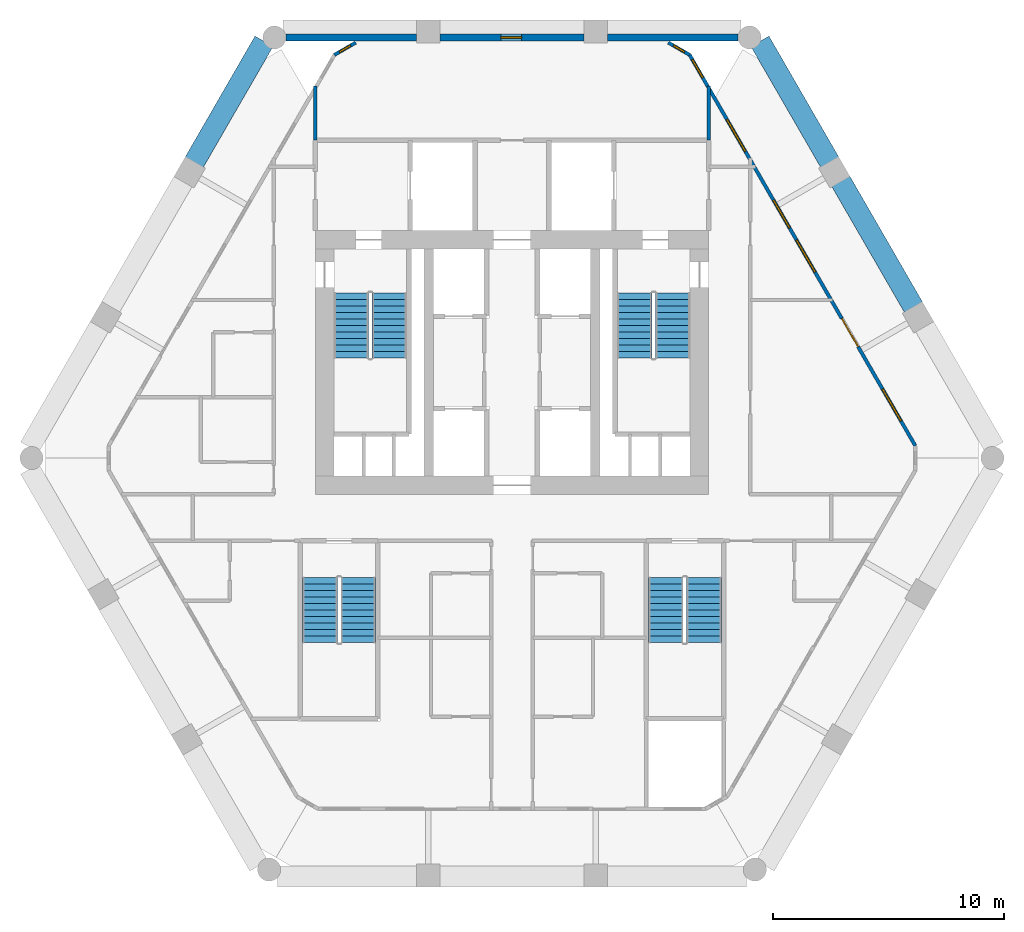
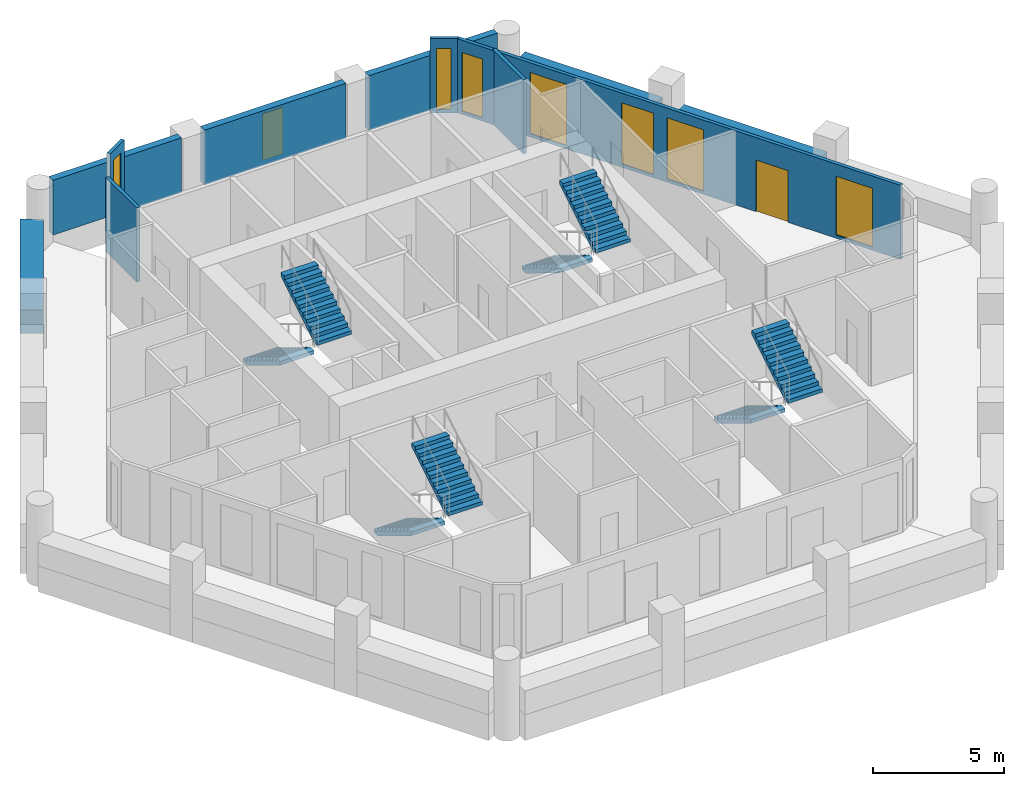
# One storey, part 6 of 7: 11 walls, 8 stair flights, 8 windows, 1 door, 9 openings, 4 elements without a shape of their own.
"""IFC4 building model written with IfcOpenShell, lengths in metres."""

from ifc_helpers import new_model, si_unit, direction, frame, frame_2d, origin, place, context, subcontext, project, spatial, polyline, rectangle, outline, extrude, material, layer, layer_set, type_object, element, fill, aggregate, save


model = new_model("IFC4")

# Units and contexts
model_context = context("Model", 3, precision=1e-05, world=origin(), true_north=direction((0.0, 1.0)))
body_context = subcontext(model_context, "Body", "Model", "MODEL_VIEW")
ifc_project = project(units=[si_unit("LENGTHUNIT", "METRE"), si_unit("AREAUNIT", "SQUARE_METRE"), si_unit("VOLUMEUNIT", "CUBIC_METRE"), si_unit("PLANEANGLEUNIT", "RADIAN"), si_unit("MASSUNIT", "GRAM", prefix="KILO")], contexts=[model_context])

# Site, building, storey
site_placement = place(None, origin())
site = spatial("IfcSite", under=ifc_project, at=site_placement, CompositionType="ELEMENT")
building_placement = place(site_placement, origin())
building = spatial("IfcBuilding", under=site, at=building_placement, Name="Ostrander Bayou Hotel Tower", CompositionType="ELEMENT")
storey_placement = place(building_placement, frame((0.0, 0.0, 160.75)))
storey = spatial("IfcBuildingStorey", under=building, at=storey_placement, Name="L39", CompositionType="ELEMENT", Elevation=160.75)

# Wall, openings, door, windows
ifc_material_1 = material(Name="Aluminium framed insulated wall", Category="aluminium")
ifc_layer_1 = layer(ifc_material_1, 0.14990234375)
ifc_layer_set_1 = layer_set([ifc_layer_1], Name="GW1 glass-line wall 150 mm")
wall_type_1 = type_object("IfcWallType", Name="GW1 glass-line wall 150 mm", PredefinedType="SOLIDWALL", material=ifc_layer_set_1)
wall_1_placement = place(storey_placement, frame((17.42822265625, 0.401611328125, 0.0), z_axis=(0.0, 0.0, 1.0), x_axis=(-0.500000203029, 0.866025286565, 0.0)))
wall_1 = element("IfcWall", 1, at=wall_1_placement, inside=storey, type_object=wall_type_1, Name="GW1 L39 NE 1", PredefinedType="SOLIDWALL", context=body_context, shape_type="SweptSolid", body=[
    extrude(rectangle(XDim=19.50390625, YDim=0.14990234375, at=frame_2d((9.751953125, 0.0))), origin(), (0.0, 0.0, 1.0), 3.449951171875),
])
opening_1_placement = place(wall_1_placement, frame((4.94677734375, 0.0, 0.0)))
opening_1 = element("IfcOpeningElement", 2, at=opening_1_placement, cuts=wall_1, Name="Opening T38-806", PredefinedType="OPENING", context=body_context, shape_type="SweptSolid", body=[
    extrude(rectangle(XDim=1.39990234375, YDim=2.39990234375, at=frame_2d((0.699951171875, 1.199951171875))), frame((0.0, 0.074951171875, 0.0), z_axis=(0.0, -1.0, 0.0), x_axis=(1.0, 0.0, 0.0)), (0.0, 0.0, 1.0), 0.14990234375),
])
opening_2_placement = place(wall_1_placement, frame((8.666259765625, 0.0, 0.14990234375)))
opening_2 = element("IfcOpeningElement", 3, at=opening_2_placement, cuts=wall_1, Name="Opening W3", PredefinedType="OPENING", context=body_context, shape_type="SweptSolid", body=[
    extrude(rectangle(XDim=1.60009765625, YDim=2.85009765625, at=frame_2d((0.800048828125, 1.425048828125))), frame((0.0, 0.074951171875, 0.0), z_axis=(0.0, -1.0, 0.0), x_axis=(1.0, 0.0, 0.0)), (0.0, 0.0, 1.0), 0.14990234375),
])
opening_3_placement = place(wall_1_placement, frame((10.8662109375, 0.0, 0.14990234375)))
opening_3 = element("IfcOpeningElement", 4, at=opening_3_placement, cuts=wall_1, Name="Opening W13", PredefinedType="OPENING", context=body_context, shape_type="SweptSolid", body=[
    extrude(rectangle(XDim=1.39990234375, YDim=2.85009765625, at=frame_2d((0.699951171875, 1.425048828125))), frame((0.0, 0.074951171875, 0.0), z_axis=(0.0, -1.0, 0.0), x_axis=(1.0, 0.0, 0.0)), (0.0, 0.0, 1.0), 0.14990234375),
])
opening_4_placement = place(wall_1_placement, frame((14.684326171875, 0.0, 0.14990234375)))
opening_4 = element("IfcOpeningElement", 5, at=opening_4_placement, cuts=wall_1, Name="Opening W3", PredefinedType="OPENING", context=body_context, shape_type="SweptSolid", body=[
    extrude(rectangle(XDim=1.60009765625, YDim=2.85009765625, at=frame_2d((0.800048828125, 1.425048828125))), frame((0.0, 0.074951171875, 0.0), z_axis=(0.0, -1.0, 0.0), x_axis=(1.0, 0.0, 0.0)), (0.0, 0.0, 1.0), 0.14990234375),
])
opening_5_placement = place(wall_1_placement, frame((1.233154296875, 0.0, 0.14990234375)))
opening_5 = element("IfcOpeningElement", 6, at=opening_5_placement, cuts=wall_1, Name="Opening W3", PredefinedType="OPENING", context=body_context, shape_type="SweptSolid", body=[
    extrude(rectangle(XDim=1.60009765625, YDim=2.72998046875, at=frame_2d((0.800048828125, 1.364990234375))), frame((0.0, 0.074951171875, 0.0), z_axis=(0.0, -1.0, 0.0), x_axis=(1.0, 0.0, 0.0)), (0.0, 0.0, 1.0), 0.14990234375),
])
opening_6_placement = place(wall_1_placement, frame((18.369384765625, 0.0, 0.14990234375)))
opening_6 = element("IfcOpeningElement", 7, at=opening_6_placement, cuts=wall_1, Name="Opening W17", PredefinedType="OPENING", context=body_context, shape_type="SweptSolid", body=[
    extrude(rectangle(XDim=0.89990234375, YDim=2.72998046875, at=frame_2d((0.449951171875, 1.364990234375))), frame((0.0, 0.074951171875, 0.0), z_axis=(0.0, -1.0, 0.0), x_axis=(1.0, 0.0, 0.0)), (0.0, 0.0, 1.0), 0.14990234375),
])
ifc_material_2 = material(Name="Aluminium and clear glass", Category="aluminium")
door_type = type_object("IfcDoorType", Name="SD3 sliding glass door 1400 mm, zone 3", OperationType="SLIDING_TO_LEFT", PredefinedType="DOOR", material=ifc_material_2)
door_placement = place(opening_1_placement, origin())
door = element("IfcDoor", 8, at=door_placement, inside=storey, type_object=door_type, Name="SD3 L39 NE 2", OperationType="SLIDING_TO_RIGHT", OverallHeight=2.39990234375, OverallWidth=1.39990234375, PredefinedType="DOOR", context=body_context, shape_type="SweptSolid", body=[
    extrude(rectangle(XDim=1.39990234375, YDim=2.39990234375, at=frame_2d((0.699951171875, 1.199951171875))), frame((0.0, 0.02490234375, 0.0), z_axis=(0.0, -1.0, 0.0), x_axis=(1.0, 0.0, 0.0)), (0.0, 0.0, 1.0), 0.050048828125),
])
fill(opening_1, door)
ifc_material_3 = material(Name="Aluminium and clear glass", Category="aluminium")
window_type_1 = type_object("IfcWindowType", Name="W13 fixed window 1400 mm, bath bay, zone 3", PartitioningType="SINGLE_PANEL", PredefinedType="WINDOW", material=ifc_material_3)
window_1_placement = place(opening_3_placement, origin())
window_1 = element("IfcWindow", 9, at=window_1_placement, inside=storey, type_object=window_type_1, Name="W13 L39 NE 3", OverallHeight=2.85009765625, OverallWidth=1.39990234375, PartitioningType="SINGLE_PANEL", PredefinedType="WINDOW", context=body_context, shape_type="SweptSolid", body=[
    extrude(rectangle(XDim=1.39990234375, YDim=2.85009765625, at=frame_2d((0.699951171875, 1.425048828125))), frame((0.0, 0.030029296875, 0.0), z_axis=(0.0, -1.0, 0.0), x_axis=(1.0, 0.0, 0.0)), (0.0, 0.0, 1.0), 0.06005859375),
])
fill(opening_3, window_1)
ifc_material_4 = material(Name="Aluminium and clear glass", Category="aluminium")
window_type_2 = type_object("IfcWindowType", Name="W17 window 900 mm, zone 3", PartitioningType="SINGLE_PANEL", PredefinedType="WINDOW", material=ifc_material_4)
window_2_placement = place(opening_6_placement, origin())
window_2 = element("IfcWindow", 10, at=window_2_placement, inside=storey, type_object=window_type_2, Name="W17 L39 NE E22", OverallHeight=2.72998046875, OverallWidth=0.89990234375, PartitioningType="SINGLE_PANEL", PredefinedType="WINDOW", context=body_context, shape_type="SweptSolid", body=[
    extrude(rectangle(XDim=0.89990234375, YDim=2.72998046875, at=frame_2d((0.449951171875, 1.364990234375))), frame((0.0, 0.030029296875, 0.0), z_axis=(0.0, -1.0, 0.0), x_axis=(1.0, 0.0, 0.0)), (0.0, 0.0, 1.0), 0.06005859375),
])
fill(opening_6, window_2)
ifc_material_5 = material(Name="Aluminium and clear glass", Category="aluminium")
window_type_3 = type_object("IfcWindowType", Name="W3 fixed window 1600 mm, zone 3", PartitioningType="SINGLE_PANEL", PredefinedType="WINDOW", material=ifc_material_5)
window_3_placement = place(opening_2_placement, origin())
window_3 = element("IfcWindow", 11, at=window_3_placement, inside=storey, type_object=window_type_3, Name="W3 L39 NE 3", OverallHeight=2.85009765625, OverallWidth=1.60009765625, PartitioningType="SINGLE_PANEL", PredefinedType="WINDOW", context=body_context, shape_type="SweptSolid", body=[
    extrude(rectangle(XDim=1.60009765625, YDim=2.85009765625, at=frame_2d((0.800048828125, 1.425048828125))), frame((0.0, 0.030029296875, 0.0), z_axis=(0.0, -1.0, 0.0), x_axis=(1.0, 0.0, 0.0)), (0.0, 0.0, 1.0), 0.06005859375),
])
fill(opening_2, window_3)
window_4_placement = place(opening_4_placement, origin())
window_4 = element("IfcWindow", 12, at=window_4_placement, inside=storey, type_object=window_type_3, Name="W3 L39 NE 4", OverallHeight=2.85009765625, OverallWidth=1.60009765625, PartitioningType="SINGLE_PANEL", PredefinedType="WINDOW", context=body_context, shape_type="SweptSolid", body=[
    extrude(rectangle(XDim=1.60009765625, YDim=2.85009765625, at=frame_2d((0.800048828125, 1.425048828125))), frame((0.0, 0.030029296875, 0.0), z_axis=(0.0, -1.0, 0.0), x_axis=(1.0, 0.0, 0.0)), (0.0, 0.0, 1.0), 0.06005859375),
])
fill(opening_4, window_4)
window_5_placement = place(opening_5_placement, origin())
window_5 = element("IfcWindow", 13, at=window_5_placement, inside=storey, type_object=window_type_3, Name="W3 L39 NE E11", OverallHeight=2.72998046875, OverallWidth=1.60009765625, PartitioningType="SINGLE_PANEL", PredefinedType="WINDOW", context=body_context, shape_type="SweptSolid", body=[
    extrude(rectangle(XDim=1.60009765625, YDim=2.72998046875, at=frame_2d((0.800048828125, 1.364990234375))), frame((0.0, 0.030029296875, 0.0), z_axis=(0.0, -1.0, 0.0), x_axis=(1.0, 0.0, 0.0)), (0.0, 0.0, 1.0), 0.06005859375),
])
fill(opening_5, window_5)

# Wall, opening, window
wall_2_placement = place(storey_placement, frame((-6.75390625, 17.824951171875, 0.0), z_axis=(0.0, 0.0, 1.0), x_axis=(-0.866048165231, -0.499960573946, 0.0)))
wall_2 = element("IfcWall", 14, at=wall_2_placement, inside=storey, type_object=wall_type_1, Name="GW1 L39 corner 1", PredefinedType="SOLIDWALL", context=body_context, shape_type="SweptSolid", body=[
    extrude(rectangle(XDim=1.06494140625, YDim=0.14990234375, at=frame_2d((0.532470703125, 0.0))), origin(), (0.0, 0.0, 1.0), 3.449951171875),
])
opening_7_placement = place(wall_2_placement, frame((0.257568359375, 0.0, 0.14990234375)))
opening_7 = element("IfcOpeningElement", 15, at=opening_7_placement, cuts=wall_2, Name="Opening W19", PredefinedType="OPENING", context=body_context, shape_type="SweptSolid", body=[
    extrude(rectangle(XDim=0.550048828125, YDim=2.85009765625, at=frame_2d((0.27490234375, 1.425048828125))), frame((0.0, 0.074951171875, 0.0), z_axis=(0.0, -1.0, 0.0), x_axis=(1.0, 0.0, 0.0)), (0.0, 0.0, 1.0), 0.14990234375),
])
ifc_material_6 = material(Name="Aluminium and clear glass", Category="aluminium")
window_type_4 = type_object("IfcWindowType", Name="W19 corner window 550 mm", PartitioningType="SINGLE_PANEL", PredefinedType="WINDOW", material=ifc_material_6)
window_6_placement = place(opening_7_placement, origin())
window_6 = element("IfcWindow", 16, at=window_6_placement, inside=storey, type_object=window_type_4, Name="W19 L39 corner 1", OverallHeight=2.85009765625, OverallWidth=0.550048828125, PartitioningType="SINGLE_PANEL", PredefinedType="WINDOW", context=body_context, shape_type="SweptSolid", body=[
    extrude(rectangle(XDim=0.550048828125, YDim=2.85009765625, at=frame_2d((0.27490234375, 1.425048828125))), frame((0.0, 0.030029296875, 0.0), z_axis=(0.0, -1.0, 0.0), x_axis=(1.0, 0.0, 0.0)), (0.0, 0.0, 1.0), 0.06005859375),
])
fill(opening_7, window_6)

wall_3_placement = place(storey_placement, frame((7.67626953125, 17.29248046875, 0.0), z_axis=(0.0, 0.0, 1.0), x_axis=(-0.866048165231, 0.499960573946, 0.0)))
wall_3 = element("IfcWall", 17, at=wall_3_placement, inside=storey, type_object=wall_type_1, Name="GW1 L39 corner 6", PredefinedType="SOLIDWALL", context=body_context, shape_type="SweptSolid", body=[
    extrude(rectangle(XDim=1.06494140625, YDim=0.14990234375, at=frame_2d((0.532470703125, 0.0))), origin(), (0.0, 0.0, 1.0), 3.449951171875),
])
opening_8_placement = place(wall_3_placement, frame((0.257568359375, 0.0, 0.14990234375)))
opening_8 = element("IfcOpeningElement", 18, at=opening_8_placement, cuts=wall_3, Name="Opening W19", PredefinedType="OPENING", context=body_context, shape_type="SweptSolid", body=[
    extrude(rectangle(XDim=0.550048828125, YDim=2.85009765625, at=frame_2d((0.27490234375, 1.425048828125))), frame((0.0, 0.074951171875, 0.0), z_axis=(0.0, -1.0, 0.0), x_axis=(1.0, 0.0, 0.0)), (0.0, 0.0, 1.0), 0.14990234375),
])
window_7_placement = place(opening_8_placement, origin())
window_7 = element("IfcWindow", 19, at=window_7_placement, inside=storey, type_object=window_type_4, Name="W19 L39 corner 6", OverallHeight=2.85009765625, OverallWidth=0.550048828125, PartitioningType="SINGLE_PANEL", PredefinedType="WINDOW", context=body_context, shape_type="SweptSolid", body=[
    extrude(rectangle(XDim=0.550048828125, YDim=2.85009765625, at=frame_2d((0.27490234375, 1.425048828125))), frame((0.0, 0.030029296875, 0.0), z_axis=(0.0, -1.0, 0.0), x_axis=(1.0, 0.0, 0.0)), (0.0, 0.0, 1.0), 0.06005859375),
])
fill(opening_8, window_7)

# Wall
ifc_material_7 = material(Name="Reconstituted stone on masonry backing", Category="masonry")
ifc_layer_2 = layer(ifc_material_7, 0.300048828125)
ifc_layer_set_2 = layer_set([ifc_layer_2], Name="NW1 north stone wall 300 mm")
wall_type_2 = type_object("IfcWallType", Name="NW1 north stone wall 300 mm", PredefinedType="SOLIDWALL", material=ifc_layer_set_2)
wall_4_placement = place(storey_placement, frame((9.767822265625, 18.050048828125, 0.0), z_axis=(0.0, 0.0, 1.0), x_axis=(-1.0, 0.0, 0.0)))
element("IfcWall", 20, at=wall_4_placement, inside=storey, type_object=wall_type_2, Name="NW1 L39 N-1", PredefinedType="SOLIDWALL", context=body_context, shape_type="SweptSolid", body=[
    extrude(rectangle(XDim=5.649658203125, YDim=0.300048828125, at=frame_2d((2.82470703125, 0.0))), origin(), (0.0, 0.0, 1.0), 2.550048828125),
])

# Wall, opening, window
wall_5_placement = place(storey_placement, frame((3.1181640625, 18.050048828125, 0.0), z_axis=(0.0, 0.0, 1.0), x_axis=(-1.0, 0.0, 0.0)))
wall_5 = element("IfcWall", 21, at=wall_5_placement, inside=storey, type_object=wall_type_2, Name="NW1 L39 N-2", PredefinedType="SOLIDWALL", context=body_context, shape_type="SweptSolid", body=[
    extrude(rectangle(XDim=6.236328125, YDim=0.300048828125, at=frame_2d((3.1181640625, 0.0))), origin(), (0.0, 0.0, 1.0), 2.550048828125),
])
opening_9_placement = place(wall_5_placement, frame((2.699951171875, 0.0, 0.14990234375)))
opening_9 = element("IfcOpeningElement", 22, at=opening_9_placement, cuts=wall_5, Name="Opening W17", PredefinedType="OPENING", context=body_context, shape_type="SweptSolid", body=[
    extrude(rectangle(XDim=0.89990234375, YDim=2.14990234375, at=frame_2d((0.449951171875, 1.074951171875))), frame((0.0, 0.14990234375, 0.0), z_axis=(0.0, -1.0, 0.0), x_axis=(1.0, 0.0, 0.0)), (0.0, 0.0, 1.0), 0.300048828125),
])
window_8_placement = place(opening_9_placement, origin())
window_8 = element("IfcWindow", 23, at=window_8_placement, inside=storey, type_object=window_type_2, Name="W17 L39 north N-2", OverallHeight=2.14990234375, OverallWidth=0.89990234375, PartitioningType="SINGLE_PANEL", PredefinedType="WINDOW", context=body_context, shape_type="SweptSolid", body=[
    extrude(rectangle(XDim=0.89990234375, YDim=2.14990234375, at=frame_2d((0.449951171875, 1.074951171875))), frame((0.0, 0.030029296875, 0.0), z_axis=(0.0, -1.0, 0.0), x_axis=(1.0, 0.0, 0.0)), (0.0, 0.0, 1.0), 0.06005859375),
])
fill(opening_9, window_8)

# Walls
wall_6_placement = place(storey_placement, frame((-4.1181640625, 18.050048828125, 0.0), z_axis=(0.0, 0.0, 1.0), x_axis=(-1.0, 0.0, 0.0)))
element("IfcWall", 24, at=wall_6_placement, inside=storey, type_object=wall_type_2, Name="NW1 L39 N-3", PredefinedType="SOLIDWALL", context=body_context, shape_type="SweptSolid", body=[
    extrude(rectangle(XDim=5.649658203125, YDim=0.300048828125, at=frame_2d((2.82470703125, 0.0))), origin(), (0.0, 0.0, 1.0), 2.550048828125),
])
ifc_material_8 = material(Name="Concrete f'c 40 MPa", Category="concrete")
ifc_layer_3 = layer(ifc_material_8, 0.89990234375)
ifc_layer_set_3 = layer_set([ifc_layer_3], Name="PA1 stone-faced parapet 900 mm")
wall_type_3 = type_object("IfcWallType", Name="PA1 stone-faced parapet 900 mm", PredefinedType="PARAPET", material=ifc_layer_set_3)
wall_7_placement = place(storey_placement, frame((-10.71435546875, 17.88037109375, 0.0), z_axis=(0.0, 0.0, 1.0), x_axis=(-0.499995386674, -0.866028067273, 0.0)))
element("IfcWall", 25, at=wall_7_placement, inside=storey, type_object=wall_type_3, Name="PA1 L39 NW-1", PredefinedType="PARAPET", context=body_context, shape_type="SweptSolid", body=[
    extrude(rectangle(XDim=6.03955078125, YDim=0.89990234375, at=frame_2d((3.019775390625, 0.0))), origin(), (0.0, 0.0, 1.0), 1.10009765625),
])
wall_8_placement = place(storey_placement, frame((17.352294921875, 6.38330078125, 0.0), z_axis=(0.0, 0.0, 1.0), x_axis=(-0.500030142214, 0.86600800047, 0.0)))
element("IfcWall", 26, at=wall_8_placement, inside=storey, type_object=wall_type_3, Name="PA1 L39 NE-2", PredefinedType="PARAPET", context=body_context, shape_type="SweptSolid", body=[
    extrude(rectangle(XDim=6.2958984375, YDim=0.89990234375, at=frame_2d((3.14794921875, 0.0))), origin(), (0.0, 0.0, 1.0), 1.10009765625),
])
wall_9_placement = place(storey_placement, frame((13.734130859375, 12.64990234375, 0.0), z_axis=(0.0, 0.0, 1.0), x_axis=(-0.499995386674, 0.866028067273, 0.0)))
element("IfcWall", 27, at=wall_9_placement, inside=storey, type_object=wall_type_3, Name="PA1 L39 NE-3", PredefinedType="PARAPET", context=body_context, shape_type="SweptSolid", body=[
    extrude(rectangle(XDim=6.03955078125, YDim=0.89990234375, at=frame_2d((3.019775390625, 0.0))), origin(), (0.0, 0.0, 1.0), 1.10009765625),
])
ifc_material_9 = material(Name="Gypsum board partition", Category="finish")
ifc_layer_4 = layer(ifc_material_9, 0.14990234375)
ifc_layer_set_4 = layer_set([ifc_layer_4], Name="PT8 service band wall 150 mm, 1 hour")
wall_type_4 = type_object("IfcWallType", Name="PT8 service band wall 150 mm, 1 hour", PredefinedType="PARTITIONING", material=ifc_layer_set_4)
for number, where, z_axis, x_axis, name in (
    (28, (8.5, 13.610107421875, 0.0), (0.0, 0.0, 1.0), (0.0, 1.0, 0.0), "gw:L39:027"),
    (29, (-8.5, 13.610107421875, 0.0), (0.0, 0.0, 1.0), (0.0, 1.0, 0.0), "gw:L39:034"),
):
    element("IfcWall", number, at=place(storey_placement, frame(where, z_axis=z_axis, x_axis=x_axis)), inside=storey, type_object=wall_type_4, Name=name, PredefinedType="PARTITIONING", context=body_context, shape_type="SweptSolid", body=[
        extrude(rectangle(XDim=2.345947265625, YDim=0.14990234375, at=frame_2d((1.1728515625, 0.0))), origin(), (0.0, 0.0, 1.0), 3.449951171875),
    ])

# Stair, stair flights
ifc_material_10 = material(Name="Concrete f'c 45 MPa", Category="concrete")
stair_type = type_object("IfcStairType", Name="ST1 exit stair 1500 mm f'c 45 MPa", PredefinedType="HALF_TURN_STAIR", material=ifc_material_10)
stair_1_placement = place(storey_placement, origin())
stair_1 = element("IfcStair", 30, at=stair_1_placement, inside=storey, type_object=stair_type, Name="L39 exit stair A", PredefinedType="HALF_TURN_STAIR")
ifc_material_11 = material(Name="Concrete f'c 45 MPa", Category="concrete")
stair_flight_type = type_object("IfcStairFlightType", Name="SF1 stair flight 1500 mm f'c 45 MPa", PredefinedType="STRAIGHT", material=ifc_material_11)
stair_flight_1_placement = place(storey_placement, frame((-6.949951171875, 7.0, 0.0), z_axis=(0.0, 0.0, 1.0), x_axis=(0.0, -1.0, 0.0)))
stair_flight_1 = element("IfcStairFlight", 31, at=stair_flight_1_placement, type_object=stair_flight_type, Name="STA flight 1", NumberOfRisers=11, NumberOfTreads=10, PredefinedType="STRAIGHT", RiserHeight=0.170454545, TreadLength=0.28, context=body_context, shape_type="SweptSolid", body=[
    extrude(outline(polyline([(0.0, 0.0), (0.0, 0.17041015625), (0.280029296875, 0.17041015625), (0.280029296875, 0.3408203125), (0.56005859375, 0.3408203125), (0.56005859375, 0.511474609375), (0.840087890625, 0.511474609375), (0.840087890625, 0.681884765625), (1.1201171875, 0.681884765625), (1.1201171875, 0.852294921875), (1.39990234375, 0.852294921875), (1.39990234375, 1.022705078125), (1.679931640625, 1.022705078125), (1.679931640625, 1.193115234375), (1.9599609375, 1.193115234375), (1.9599609375, 1.363525390625), (2.239990234375, 1.363525390625), (2.239990234375, 1.5341796875), (2.52001953125, 1.5341796875), (2.52001953125, 1.70458984375), (2.800048828125, 1.70458984375), (2.800048828125, 1.875), (2.800048828125, 1.529052734375), (0.288330078125, 0.0), (0.0, 0.0)])), frame((0.0, 0.75, 0.0), z_axis=(0.0, -1.0, 0.0), x_axis=(1.0, 0.0, 0.0)), (0.0, 0.0, 1.0), 1.5),
])
stair_flight_2_placement = place(storey_placement, frame((-5.300048828125, 4.199951171875, 1.875), z_axis=(0.0, 0.0, 1.0), x_axis=(0.0, 1.0, 0.0)))
stair_flight_2 = element("IfcStairFlight", 32, at=stair_flight_2_placement, type_object=stair_flight_type, Name="STA flight 2", NumberOfRisers=11, NumberOfTreads=10, PredefinedType="STRAIGHT", RiserHeight=0.170454545, TreadLength=0.28, context=body_context, shape_type="SweptSolid", body=[
    extrude(outline(polyline([(0.0, 0.0), (0.0, 0.17041015625), (0.280029296875, 0.17041015625), (0.280029296875, 0.3408203125), (0.56005859375, 0.3408203125), (0.56005859375, 0.511474609375), (0.840087890625, 0.511474609375), (0.840087890625, 0.681884765625), (1.1201171875, 0.681884765625), (1.1201171875, 0.852294921875), (1.39990234375, 0.852294921875), (1.39990234375, 1.022705078125), (1.679931640625, 1.022705078125), (1.679931640625, 1.193115234375), (1.9599609375, 1.193115234375), (1.9599609375, 1.363525390625), (2.239990234375, 1.363525390625), (2.239990234375, 1.5341796875), (2.52001953125, 1.5341796875), (2.52001953125, 1.70458984375), (2.800048828125, 1.70458984375), (2.800048828125, 1.875), (2.800048828125, 1.529052734375), (0.288330078125, 0.0), (0.0, 0.0)])), frame((0.0, 0.75, 0.0), z_axis=(0.0, -1.0, 0.0), x_axis=(1.0, 0.0, 0.0)), (0.0, 0.0, 1.0), 1.5),
])
aggregate(stair_1, [stair_flight_1, stair_flight_2])

stair_2_placement = place(storey_placement, origin())
stair_2 = element("IfcStair", 33, at=stair_2_placement, inside=storey, type_object=stair_type, Name="L39 exit stair B", PredefinedType="HALF_TURN_STAIR")
stair_flight_3_placement = place(storey_placement, frame((5.300048828125, 7.0, 0.0), z_axis=(0.0, 0.0, 1.0), x_axis=(0.0, -1.0, 0.0)))
stair_flight_3 = element("IfcStairFlight", 34, at=stair_flight_3_placement, type_object=stair_flight_type, Name="STB flight 1", NumberOfRisers=11, NumberOfTreads=10, PredefinedType="STRAIGHT", RiserHeight=0.170454545, TreadLength=0.28, context=body_context, shape_type="SweptSolid", body=[
    extrude(outline(polyline([(0.0, 0.0), (0.0, 0.17041015625), (0.280029296875, 0.17041015625), (0.280029296875, 0.3408203125), (0.56005859375, 0.3408203125), (0.56005859375, 0.511474609375), (0.840087890625, 0.511474609375), (0.840087890625, 0.681884765625), (1.1201171875, 0.681884765625), (1.1201171875, 0.852294921875), (1.39990234375, 0.852294921875), (1.39990234375, 1.022705078125), (1.679931640625, 1.022705078125), (1.679931640625, 1.193115234375), (1.9599609375, 1.193115234375), (1.9599609375, 1.363525390625), (2.239990234375, 1.363525390625), (2.239990234375, 1.5341796875), (2.52001953125, 1.5341796875), (2.52001953125, 1.70458984375), (2.800048828125, 1.70458984375), (2.800048828125, 1.875), (2.800048828125, 1.529052734375), (0.288330078125, 0.0), (0.0, 0.0)])), frame((0.0, 0.75, 0.0), z_axis=(0.0, -1.0, 0.0), x_axis=(1.0, 0.0, 0.0)), (0.0, 0.0, 1.0), 1.5),
])
stair_flight_4_placement = place(storey_placement, frame((6.949951171875, 4.199951171875, 1.875), z_axis=(0.0, 0.0, 1.0), x_axis=(0.0, 1.0, 0.0)))
stair_flight_4 = element("IfcStairFlight", 35, at=stair_flight_4_placement, type_object=stair_flight_type, Name="STB flight 2", NumberOfRisers=11, NumberOfTreads=10, PredefinedType="STRAIGHT", RiserHeight=0.170454545, TreadLength=0.28, context=body_context, shape_type="SweptSolid", body=[
    extrude(outline(polyline([(0.0, 0.0), (0.0, 0.17041015625), (0.280029296875, 0.17041015625), (0.280029296875, 0.3408203125), (0.56005859375, 0.3408203125), (0.56005859375, 0.511474609375), (0.840087890625, 0.511474609375), (0.840087890625, 0.681884765625), (1.1201171875, 0.681884765625), (1.1201171875, 0.852294921875), (1.39990234375, 0.852294921875), (1.39990234375, 1.022705078125), (1.679931640625, 1.022705078125), (1.679931640625, 1.193115234375), (1.9599609375, 1.193115234375), (1.9599609375, 1.363525390625), (2.239990234375, 1.363525390625), (2.239990234375, 1.5341796875), (2.52001953125, 1.5341796875), (2.52001953125, 1.70458984375), (2.800048828125, 1.70458984375), (2.800048828125, 1.875), (2.800048828125, 1.529052734375), (0.288330078125, 0.0), (0.0, 0.0)])), frame((0.0, 0.75, 0.0), z_axis=(0.0, -1.0, 0.0), x_axis=(1.0, 0.0, 0.0)), (0.0, 0.0, 1.0), 1.5),
])
aggregate(stair_2, [stair_flight_3, stair_flight_4])

stair_3_placement = place(storey_placement, origin())
stair_3 = element("IfcStair", 36, at=stair_3_placement, inside=storey, type_object=stair_type, Name="L39 exit stair C", PredefinedType="HALF_TURN_STAIR")
stair_flight_5_placement = place(storey_placement, frame((6.64990234375, -5.300048828125, 0.0), z_axis=(0.0, 0.0, 1.0), x_axis=(0.0, -1.0, 0.0)))
stair_flight_5 = element("IfcStairFlight", 37, at=stair_flight_5_placement, type_object=stair_flight_type, Name="STC flight 1", NumberOfRisers=11, NumberOfTreads=10, PredefinedType="STRAIGHT", RiserHeight=0.170454545, TreadLength=0.28, context=body_context, shape_type="SweptSolid", body=[
    extrude(outline(polyline([(0.0, 0.0), (0.0, 0.17041015625), (0.280029296875, 0.17041015625), (0.280029296875, 0.3408203125), (0.56005859375, 0.3408203125), (0.56005859375, 0.511474609375), (0.840087890625, 0.511474609375), (0.840087890625, 0.681884765625), (1.1201171875, 0.681884765625), (1.1201171875, 0.852294921875), (1.39990234375, 0.852294921875), (1.39990234375, 1.022705078125), (1.679931640625, 1.022705078125), (1.679931640625, 1.193115234375), (1.9599609375, 1.193115234375), (1.9599609375, 1.363525390625), (2.239990234375, 1.363525390625), (2.239990234375, 1.5341796875), (2.52001953125, 1.5341796875), (2.52001953125, 1.70458984375), (2.800048828125, 1.70458984375), (2.800048828125, 1.875), (2.800048828125, 1.529052734375), (0.288330078125, 0.0), (0.0, 0.0)])), frame((0.0, 0.75, 0.0), z_axis=(0.0, -1.0, 0.0), x_axis=(1.0, 0.0, 0.0)), (0.0, 0.0, 1.0), 1.5),
])
stair_flight_6_placement = place(storey_placement, frame((8.300048828125, -8.10009765625, 1.875), z_axis=(0.0, 0.0, 1.0), x_axis=(0.0, 1.0, 0.0)))
stair_flight_6 = element("IfcStairFlight", 38, at=stair_flight_6_placement, type_object=stair_flight_type, Name="STC flight 2", NumberOfRisers=11, NumberOfTreads=10, PredefinedType="STRAIGHT", RiserHeight=0.170454545, TreadLength=0.28, context=body_context, shape_type="SweptSolid", body=[
    extrude(outline(polyline([(0.0, 0.0), (0.0, 0.17041015625), (0.280029296875, 0.17041015625), (0.280029296875, 0.3408203125), (0.56005859375, 0.3408203125), (0.56005859375, 0.511474609375), (0.840087890625, 0.511474609375), (0.840087890625, 0.681884765625), (1.1201171875, 0.681884765625), (1.1201171875, 0.852294921875), (1.39990234375, 0.852294921875), (1.39990234375, 1.022705078125), (1.679931640625, 1.022705078125), (1.679931640625, 1.193115234375), (1.9599609375, 1.193115234375), (1.9599609375, 1.363525390625), (2.239990234375, 1.363525390625), (2.239990234375, 1.5341796875), (2.52001953125, 1.5341796875), (2.52001953125, 1.70458984375), (2.800048828125, 1.70458984375), (2.800048828125, 1.875), (2.800048828125, 1.529052734375), (0.288330078125, 0.0), (0.0, 0.0)])), frame((0.0, 0.75, 0.0), z_axis=(0.0, -1.0, 0.0), x_axis=(1.0, 0.0, 0.0)), (0.0, 0.0, 1.0), 1.5),
])
aggregate(stair_3, [stair_flight_5, stair_flight_6])

stair_4_placement = place(storey_placement, origin())
stair_4 = element("IfcStair", 39, at=stair_4_placement, inside=storey, type_object=stair_type, Name="L39 exit stair D", PredefinedType="HALF_TURN_STAIR")
stair_flight_7_placement = place(storey_placement, frame((-8.300048828125, -5.300048828125, 0.0), z_axis=(0.0, 0.0, 1.0), x_axis=(0.0, -1.0, 0.0)))
stair_flight_7 = element("IfcStairFlight", 40, at=stair_flight_7_placement, type_object=stair_flight_type, Name="STD flight 1", NumberOfRisers=11, NumberOfTreads=10, PredefinedType="STRAIGHT", RiserHeight=0.170454545, TreadLength=0.28, context=body_context, shape_type="SweptSolid", body=[
    extrude(outline(polyline([(0.0, 0.0), (0.0, 0.17041015625), (0.280029296875, 0.17041015625), (0.280029296875, 0.3408203125), (0.56005859375, 0.3408203125), (0.56005859375, 0.511474609375), (0.840087890625, 0.511474609375), (0.840087890625, 0.681884765625), (1.1201171875, 0.681884765625), (1.1201171875, 0.852294921875), (1.39990234375, 0.852294921875), (1.39990234375, 1.022705078125), (1.679931640625, 1.022705078125), (1.679931640625, 1.193115234375), (1.9599609375, 1.193115234375), (1.9599609375, 1.363525390625), (2.239990234375, 1.363525390625), (2.239990234375, 1.5341796875), (2.52001953125, 1.5341796875), (2.52001953125, 1.70458984375), (2.800048828125, 1.70458984375), (2.800048828125, 1.875), (2.800048828125, 1.529052734375), (0.288330078125, 0.0), (0.0, 0.0)])), frame((0.0, 0.75, 0.0), z_axis=(0.0, -1.0, 0.0), x_axis=(1.0, 0.0, 0.0)), (0.0, 0.0, 1.0), 1.5),
])
stair_flight_8_placement = place(storey_placement, frame((-6.64990234375, -8.10009765625, 1.875), z_axis=(0.0, 0.0, 1.0), x_axis=(0.0, 1.0, 0.0)))
stair_flight_8 = element("IfcStairFlight", 41, at=stair_flight_8_placement, type_object=stair_flight_type, Name="STD flight 2", NumberOfRisers=11, NumberOfTreads=10, PredefinedType="STRAIGHT", RiserHeight=0.170454545, TreadLength=0.28, context=body_context, shape_type="SweptSolid", body=[
    extrude(outline(polyline([(0.0, 0.0), (0.0, 0.17041015625), (0.280029296875, 0.17041015625), (0.280029296875, 0.3408203125), (0.56005859375, 0.3408203125), (0.56005859375, 0.511474609375), (0.840087890625, 0.511474609375), (0.840087890625, 0.681884765625), (1.1201171875, 0.681884765625), (1.1201171875, 0.852294921875), (1.39990234375, 0.852294921875), (1.39990234375, 1.022705078125), (1.679931640625, 1.022705078125), (1.679931640625, 1.193115234375), (1.9599609375, 1.193115234375), (1.9599609375, 1.363525390625), (2.239990234375, 1.363525390625), (2.239990234375, 1.5341796875), (2.52001953125, 1.5341796875), (2.52001953125, 1.70458984375), (2.800048828125, 1.70458984375), (2.800048828125, 1.875), (2.800048828125, 1.529052734375), (0.288330078125, 0.0), (0.0, 0.0)])), frame((0.0, 0.75, 0.0), z_axis=(0.0, -1.0, 0.0), x_axis=(1.0, 0.0, 0.0)), (0.0, 0.0, 1.0), 1.5),
])
aggregate(stair_4, [stair_flight_7, stair_flight_8])

save(model, "model.ifc")
